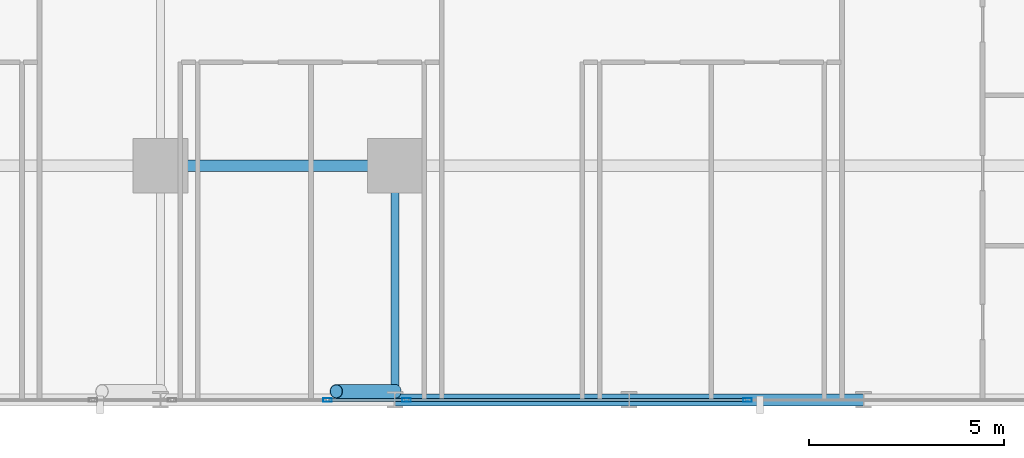
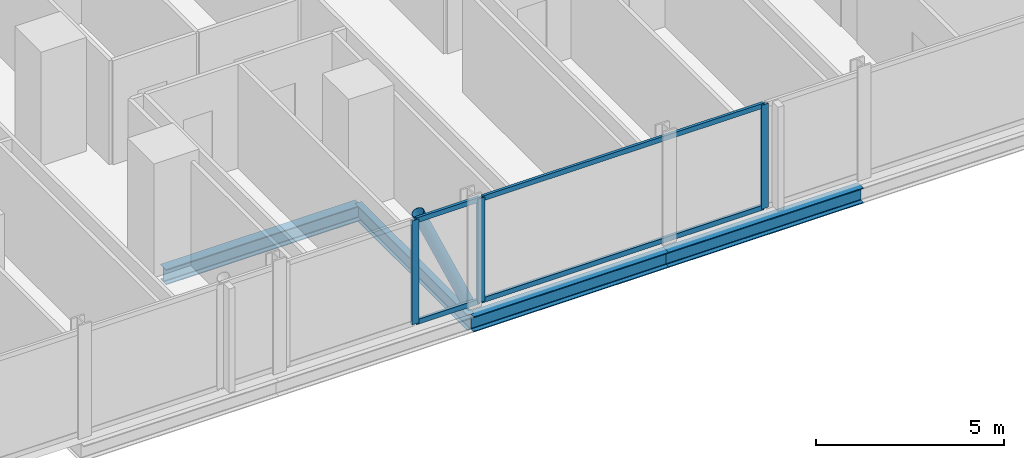
# One storey, part 7 of 35: 8 members, 4 beams, 2 elements without a shape of their own.
"""IFC4 building model written with IfcOpenShell, lengths in metres."""

from ifc_helpers import new_model, si_unit, direction, frame, origin, origin_2d, place, context, subcontext, project, spatial, hollow_rectangle, hollow_circle, i_section, extrude, material, layer, layer_set, material_profile, profile_set, type_object, element, aggregate, save


model = new_model("IFC4")

# Units and contexts
model_context = context("Model", 3, precision=1e-05, world=origin(), true_north=direction((0.0, 1.0)))
body_context = subcontext(model_context, "Body", "Model", "MODEL_VIEW")
ifc_project = project(units=[si_unit("LENGTHUNIT", "METRE"), si_unit("AREAUNIT", "SQUARE_METRE"), si_unit("VOLUMEUNIT", "CUBIC_METRE"), si_unit("PLANEANGLEUNIT", "RADIAN"), si_unit("MASSUNIT", "GRAM", prefix="KILO")], contexts=[model_context])

# Site, building, storey
site_placement = place(None, origin())
site = spatial("IfcSite", under=ifc_project, at=site_placement, CompositionType="ELEMENT")
building_placement = place(site_placement, origin())
building = spatial("IfcBuilding", under=site, at=building_placement, Name="Keshet Zoharim Tower", CompositionType="ELEMENT")
storey_placement = place(building_placement, frame((0.0, 0.0, 24.0)))
storey = spatial("IfcBuildingStorey", under=building, at=storey_placement, Name="L04", CompositionType="ELEMENT", Elevation=24.0)

# Beams
ifc_material_1 = material(Name="Steel S355", Category="steel")
ifc_material_profile_1 = material_profile(ifc_material_1, i_section(OverallWidth=0.199951171875, OverallDepth=0.5, WebThickness=0.01025390625, FlangeThickness=0.01611328125, FilletRadius=0.02099609375, at=origin_2d()), Name="IPE500")
ifc_profile_set_1 = profile_set([ifc_material_profile_1], Name="Steel S355")
beam_type_1 = type_object("IfcBeamType", Name="BM-PRI-IP500", PredefinedType="BEAM", material=ifc_profile_set_1)
beam_placement = place(storey_placement, frame((39.0, 0.699951171875, -0.56494140625), z_axis=(0.0, 1.0, 0.0), x_axis=(-1.0, 0.0, 0.0)))
element("IfcBeam", 1, at=beam_placement, inside=storey, type_object=beam_type_1, Name="L04 Primary Girder Y-012", PredefinedType="BEAM", context=body_context, shape_type="SweptSolid", body=[
    extrude(i_section(OverallWidth=0.199951171875, OverallDepth=0.5, WebThickness=0.01025390625, FlangeThickness=0.01611328125, FilletRadius=0.02099609375, at=origin_2d()), origin(), (0.0, 0.0, 1.0), 6.0),
])
ifc_material_profile_2 = material_profile(ifc_material_1, i_section(OverallWidth=0.300048828125, OverallDepth=0.5, WebThickness=0.014404296875, FlangeThickness=0.028076171875, FilletRadius=0.027099609375, at=origin_2d()), Name="HEB500")
ifc_profile_set_2 = profile_set([ifc_material_profile_2], Name="Steel S355")
beam_type_2 = type_object("IfcBeamType", Name="BM-WEB-HB500", PredefinedType="BEAM", material=ifc_profile_set_2)
for number, where, z_axis, x_axis, name in (
    (2, (39.0, 0.699951171875, -0.56494140625), (1.0, 0.0, 0.0), (0.0, 1.0, 0.0), "L04 Primary Girder X-003"),
    (3, (45.0, 0.699951171875, -0.56494140625), (1.0, 0.0, 0.0), (0.0, 1.0, 0.0), "L04 Primary Girder X-004"),
    (4, (33.0, 6.699951171875, -0.56494140625), (1.0, 0.0, 0.0), (0.0, 1.0, 0.0), "L04 Primary Girder X-008"),
):
    element("IfcBeam", number, at=place(storey_placement, frame(where, z_axis=z_axis, x_axis=x_axis)), inside=storey, type_object=beam_type_2, Name=name, PredefinedType="BEAM", context=body_context, shape_type="SweptSolid", body=[
        extrude(i_section(OverallWidth=0.300048828125, OverallDepth=0.5, WebThickness=0.014404296875, FlangeThickness=0.028076171875, FilletRadius=0.027099609375, at=origin_2d()), origin(), (0.0, 0.0, 1.0), 6.0),
    ])

# Curtain wall, members
ifc_material_2 = material(Name="Aluminium 6063-T6", Category="aluminium")
ifc_layer = layer(ifc_material_2, 0.179931640625)
ifc_layer_set = layer_set([ifc_layer], Name="Aluminium 6063-T6")
curtain_wall_type = type_object("IfcCurtainWallType", Name="CW-SYS-01", PredefinedType="NOTDEFINED", material=ifc_layer_set)
curtain_wall_1_placement = place(storey_placement, origin())
curtain_wall_1 = element("IfcCurtainWall", 5, at=curtain_wall_1_placement, inside=storey, type_object=curtain_wall_type, Name="L04 Unitised Curtain Wall 26", PredefinedType="NOTDEFINED")
ifc_material_profile_3 = material_profile(ifc_material_2, hollow_rectangle(XDim=0.090087890625, YDim=0.219970703125, WallThickness=0.0048828125, at=origin_2d()), Name="MUL-90x220")
ifc_profile_set_3 = profile_set([ifc_material_profile_3], Name="Aluminium 6063-T6")
member_type_1 = type_object("IfcMemberType", Name="CWM-M22", PredefinedType="MULLION", material=ifc_profile_set_3)
member_1_placement = place(storey_placement, frame((48.03271484375, 0.699951171875, 0.0), z_axis=(0.0, 0.0, 1.0), x_axis=(0.0, -1.0, 0.0)))
member_1 = element("IfcMember", 6, at=member_1_placement, type_object=member_type_1, Name="CW-01 mullion 2", PredefinedType="MULLION", context=body_context, shape_type="SweptSolid", body=[
    extrude(hollow_rectangle(XDim=0.090087890625, YDim=0.219970703125, WallThickness=0.0048828125, at=origin_2d()), origin(), (0.0, 0.0, 1.0), 3.385009765625),
])
member_2_placement = place(storey_placement, frame((39.297607421875, 0.699951171875, 0.0), z_axis=(0.0, 0.0, 1.0), x_axis=(0.0, -1.0, 0.0)))
member_2 = element("IfcMember", 7, at=member_2_placement, type_object=member_type_1, Name="CW-01 mullion 3", PredefinedType="MULLION", context=body_context, shape_type="SweptSolid", body=[
    extrude(hollow_rectangle(XDim=0.090087890625, YDim=0.219970703125, WallThickness=0.0048828125, at=origin_2d()), origin(), (0.0, 0.0, 1.0), 3.385009765625),
])

# Curtain wall, member
curtain_wall_2_placement = place(storey_placement, origin())
curtain_wall_2 = element("IfcCurtainWall", 8, at=curtain_wall_2_placement, inside=storey, type_object=curtain_wall_type, Name="L04 Unitised Curtain Wall 26 Part 2", PredefinedType="NOTDEFINED")
member_3_placement = place(storey_placement, frame((37.2724609375, 0.699951171875, 0.0), z_axis=(0.0, 0.0, 1.0), x_axis=(0.0, -1.0, 0.0)))
member_3 = element("IfcMember", 9, at=member_3_placement, type_object=member_type_1, Name="CW-01 mullion 2", PredefinedType="MULLION", context=body_context, shape_type="SweptSolid", body=[
    extrude(hollow_rectangle(XDim=0.090087890625, YDim=0.219970703125, WallThickness=0.0048828125, at=origin_2d()), origin(), (0.0, 0.0, 1.0), 3.385009765625),
])

# Member
ifc_material_profile_4 = material_profile(ifc_material_2, hollow_rectangle(XDim=0.0849609375, YDim=0.159912109375, WallThickness=0.00439453125, at=origin_2d()), Name="TRN-85x160")
ifc_profile_set_4 = profile_set([ifc_material_profile_4], Name="Aluminium 6063-T6")
member_type_2 = type_object("IfcMemberType", Name="CWT-T16", PredefinedType="USERDEFINED", material=ifc_profile_set_4)
member_4_placement = place(storey_placement, frame((47.997802734375, 0.699951171875, 0.034912109375), z_axis=(-1.0, 0.0, 0.0), x_axis=(0.0, -1.0, 0.0)))
member_4 = element("IfcMember", 10, at=member_4_placement, type_object=member_type_2, Name="CW-01 transom 2.1", ObjectType="TRANSOM", PredefinedType="USERDEFINED", context=body_context, shape_type="SweptSolid", body=[
    extrude(hollow_rectangle(XDim=0.0849609375, YDim=0.159912109375, WallThickness=0.00439453125, at=origin_2d()), origin(), (0.0, 0.0, 1.0), 8.665283203125),
])

member_5_placement = place(storey_placement, frame((47.997802734375, 0.699951171875, 3.35009765625), z_axis=(-1.0, 0.0, 0.0), x_axis=(0.0, -1.0, 0.0)))
member_5 = element("IfcMember", 11, at=member_5_placement, type_object=member_type_2, Name="CW-01 transom 2.2", ObjectType="TRANSOM", PredefinedType="USERDEFINED", context=body_context, shape_type="SweptSolid", body=[
    extrude(hollow_rectangle(XDim=0.0849609375, YDim=0.159912109375, WallThickness=0.00439453125, at=origin_2d()), origin(), (0.0, 0.0, 1.0), 8.665283203125),
])

aggregate(curtain_wall_1, [member_1, member_2, member_4, member_5])

member_6_placement = place(storey_placement, frame((39.2626953125, 0.699951171875, 0.034912109375), z_axis=(-1.0, 0.0, 0.0), x_axis=(0.0, -1.0, 0.0)))
member_6 = element("IfcMember", 12, at=member_6_placement, type_object=member_type_2, Name="CW-01 transom 1.1", ObjectType="TRANSOM", PredefinedType="USERDEFINED", context=body_context, shape_type="SweptSolid", body=[
    extrude(hollow_rectangle(XDim=0.0849609375, YDim=0.159912109375, WallThickness=0.00439453125, at=origin_2d()), origin(), (0.0, 0.0, 1.0), 1.955322265625),
])

member_7_placement = place(storey_placement, frame((39.2626953125, 0.699951171875, 3.35009765625), z_axis=(-1.0, 0.0, 0.0), x_axis=(0.0, -1.0, 0.0)))
member_7 = element("IfcMember", 13, at=member_7_placement, type_object=member_type_2, Name="CW-01 transom 1.2", ObjectType="TRANSOM", PredefinedType="USERDEFINED", context=body_context, shape_type="SweptSolid", body=[
    extrude(hollow_rectangle(XDim=0.0849609375, YDim=0.159912109375, WallThickness=0.00439453125, at=origin_2d()), origin(), (0.0, 0.0, 1.0), 1.955322265625),
])

aggregate(curtain_wall_2, [member_3, member_6, member_7])

ifc_material_profile_5 = material_profile(ifc_material_1, hollow_circle(Radius=0.177734375, WallThickness=0.012451171875, at=origin_2d()), Name="CHS355x12.5")
ifc_profile_set_5 = profile_set([ifc_material_profile_5], Name="Steel S355")
member_type_3 = type_object("IfcMemberType", Name="MB-BR-C355", PredefinedType="BRACE", material=ifc_profile_set_5)
member_8_placement = place(storey_placement, frame((39.0, 0.919921875, 0.0), z_axis=(-0.405134846829, 0.0, 0.91425694194), x_axis=(0.0, -1.0, 0.0)))
element("IfcMember", 14, at=member_8_placement, inside=storey, type_object=member_type_3, Name="L04 Perimeter Tube Brace 03", PredefinedType="BRACE", context=body_context, shape_type="SweptSolid", body=[
    extrude(hollow_circle(Radius=0.177734375, WallThickness=0.012451171875, at=origin_2d()), origin(), (0.0, 0.0, 1.0), 3.702392578125),
])

save(model, "model.ifc")
